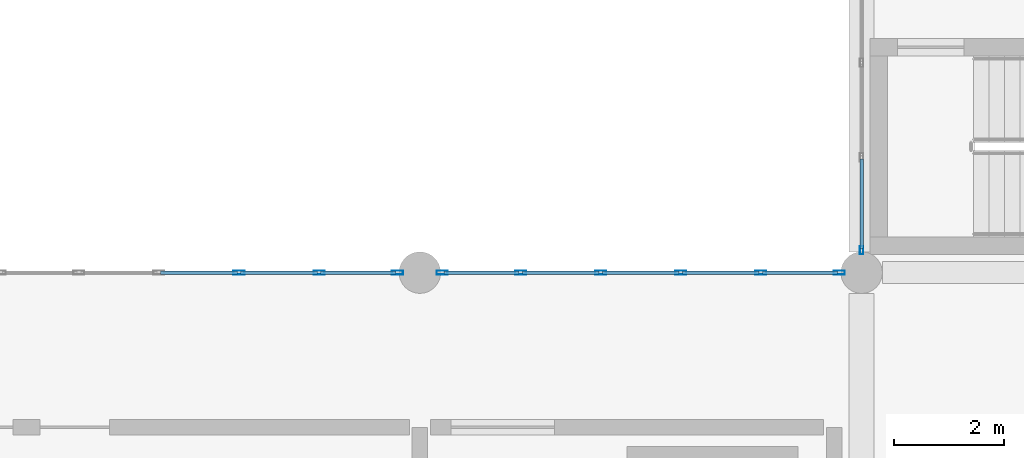
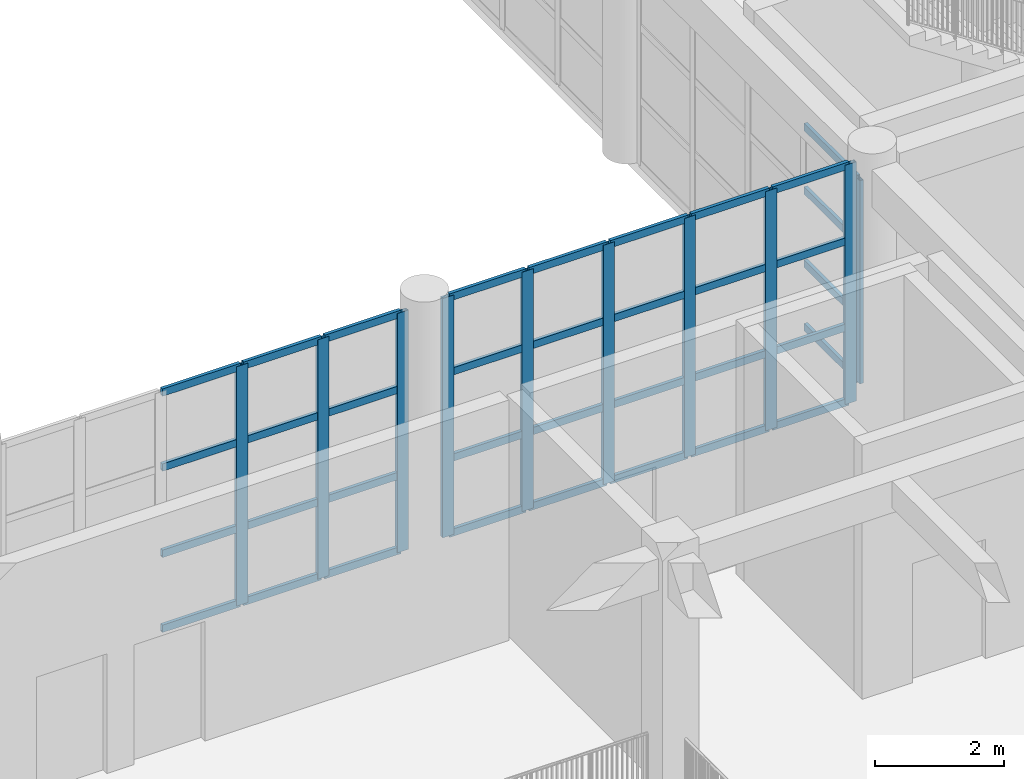
# One storey, part 14 of 101: 46 members, 3 elements without a shape of their own.
"""IFC4 building model written with IfcOpenShell, lengths in metres."""

from ifc_helpers import new_model, si_unit, direction, frame, origin, origin_2d, place, context, subcontext, project, spatial, hollow_rectangle, extrude, material, material_profile, profile_set, type_object, element, aggregate, save


model = new_model("IFC4")

# Units and contexts
model_context = context("Model", 3, precision=1e-05, world=origin(), true_north=direction((0.0, 1.0)))
body_context = subcontext(model_context, "Body", "Model", "MODEL_VIEW")
ifc_project = project(units=[si_unit("LENGTHUNIT", "METRE"), si_unit("AREAUNIT", "SQUARE_METRE"), si_unit("VOLUMEUNIT", "CUBIC_METRE"), si_unit("PLANEANGLEUNIT", "RADIAN"), si_unit("MASSUNIT", "GRAM", prefix="KILO")], contexts=[model_context])

# Site, building, storey
site_placement = place(None, origin())
site = spatial("IfcSite", under=ifc_project, at=site_placement, CompositionType="ELEMENT")
building_placement = place(site_placement, origin())
building = spatial("IfcBuilding", under=site, at=building_placement, Name="Zantavel Square City Hall", CompositionType="ELEMENT")
storey_placement = place(building_placement, frame((0.0, 0.0, 5.39990234375)))
storey = spatial("IfcBuildingStorey", under=building, at=storey_placement, Name="L02", CompositionType="ELEMENT", Elevation=5.39990234375)

# Curtain wall, members
ifc_material = material(Name="Anodised aluminium 6063-T6", Category="aluminium")
curtain_wall_type_1 = type_object("IfcCurtainWallType", Name="Curtain Wall CRT 7250x4520", PredefinedType="USERDEFINED", material=ifc_material)
curtain_wall_1_placement = place(storey_placement, origin())
curtain_wall_1 = element("IfcCurtainWall", 1, at=curtain_wall_1_placement, inside=storey, type_object=curtain_wall_type_1, Name="L02 Glazed Curtain Wall CW-L02-075", ObjectType="GLAZED CURTAIN WALL", PredefinedType="USERDEFINED")
ifc_material_profile_1 = material_profile(ifc_material, hollow_rectangle(XDim=0.070068359375, YDim=0.199951171875, WallThickness=0.00439453125, at=origin_2d()), Name="ALU 70x200x4.5")
ifc_profile_set_1 = profile_set([ifc_material_profile_1], Name="Anodised aluminium 6063-T6")
member_type_1 = type_object("IfcMemberType", Name="CW Heavy Hall Mullion ALU 70x200x4.5", PredefinedType="MULLION", material=ifc_profile_set_1)
member_1_placement = place(storey_placement, frame((36.72509765625, 38.0, 0.0), z_axis=(0.0, 0.0, 1.0), x_axis=(0.0, 1.0, 0.0)))
member_1 = element("IfcMember", 2, at=member_1_placement, type_object=member_type_1, Name="CW-075 mullion 4", PredefinedType="MULLION", context=body_context, shape_type="SweptSolid", body=[
    extrude(hollow_rectangle(XDim=0.070068359375, YDim=0.199951171875, WallThickness=0.00439453125, at=origin_2d()), origin(), (0.0, 0.0, 1.0), 4.52001953125),
])
member_2_placement = place(storey_placement, frame((38.175048828125, 38.0, 0.0), z_axis=(0.0, 0.0, 1.0), x_axis=(0.0, 1.0, 0.0)))
member_2 = element("IfcMember", 3, at=member_2_placement, type_object=member_type_1, Name="CW-075 mullion 5", PredefinedType="MULLION", context=body_context, shape_type="SweptSolid", body=[
    extrude(hollow_rectangle(XDim=0.070068359375, YDim=0.199951171875, WallThickness=0.00439453125, at=origin_2d()), origin(), (0.0, 0.0, 1.0), 4.52001953125),
])
member_3_placement = place(storey_placement, frame((39.594970703125, 38.0, 0.0), z_axis=(0.0, 0.0, 1.0), x_axis=(0.0, 1.0, 0.0)))
member_3 = element("IfcMember", 4, at=member_3_placement, type_object=member_type_1, Name="CW-075 mullion 6", PredefinedType="MULLION", context=body_context, shape_type="SweptSolid", body=[
    extrude(hollow_rectangle(XDim=0.070068359375, YDim=0.199951171875, WallThickness=0.00439453125, at=origin_2d()), origin(), (0.0, 0.0, 1.0), 4.52001953125),
])

curtain_wall_2_placement = place(storey_placement, origin())
curtain_wall_2 = element("IfcCurtainWall", 5, at=curtain_wall_2_placement, inside=storey, type_object=curtain_wall_type_1, Name="L02 Glazed Curtain Wall CW-L02-076", ObjectType="GLAZED CURTAIN WALL", PredefinedType="USERDEFINED")
member_4_placement = place(storey_placement, frame((40.405029296875, 38.0, 0.0), z_axis=(0.0, 0.0, 1.0), x_axis=(0.0, 1.0, 0.0)))
member_4 = element("IfcMember", 6, at=member_4_placement, type_object=member_type_1, Name="CW-076 mullion 1", PredefinedType="MULLION", context=body_context, shape_type="SweptSolid", body=[
    extrude(hollow_rectangle(XDim=0.070068359375, YDim=0.199951171875, WallThickness=0.00439453125, at=origin_2d()), origin(), (0.0, 0.0, 1.0), 4.52001953125),
])
member_5_placement = place(storey_placement, frame((41.824951171875, 38.0, 0.0), z_axis=(0.0, 0.0, 1.0), x_axis=(0.0, 1.0, 0.0)))
member_5 = element("IfcMember", 7, at=member_5_placement, type_object=member_type_1, Name="CW-076 mullion 2", PredefinedType="MULLION", context=body_context, shape_type="SweptSolid", body=[
    extrude(hollow_rectangle(XDim=0.070068359375, YDim=0.199951171875, WallThickness=0.00439453125, at=origin_2d()), origin(), (0.0, 0.0, 1.0), 4.52001953125),
])
member_6_placement = place(storey_placement, frame((43.27490234375, 38.0, 0.0), z_axis=(0.0, 0.0, 1.0), x_axis=(0.0, 1.0, 0.0)))
member_6 = element("IfcMember", 8, at=member_6_placement, type_object=member_type_1, Name="CW-076 mullion 3", PredefinedType="MULLION", context=body_context, shape_type="SweptSolid", body=[
    extrude(hollow_rectangle(XDim=0.070068359375, YDim=0.199951171875, WallThickness=0.00439453125, at=origin_2d()), origin(), (0.0, 0.0, 1.0), 4.52001953125),
])
member_7_placement = place(storey_placement, frame((44.72509765625, 38.0, 0.0), z_axis=(0.0, 0.0, 1.0), x_axis=(0.0, 1.0, 0.0)))
member_7 = element("IfcMember", 9, at=member_7_placement, type_object=member_type_1, Name="CW-076 mullion 4", PredefinedType="MULLION", context=body_context, shape_type="SweptSolid", body=[
    extrude(hollow_rectangle(XDim=0.070068359375, YDim=0.199951171875, WallThickness=0.00439453125, at=origin_2d()), origin(), (0.0, 0.0, 1.0), 4.52001953125),
])
member_8_placement = place(storey_placement, frame((46.175048828125, 38.0, 0.0), z_axis=(0.0, 0.0, 1.0), x_axis=(0.0, 1.0, 0.0)))
member_8 = element("IfcMember", 10, at=member_8_placement, type_object=member_type_1, Name="CW-076 mullion 5", PredefinedType="MULLION", context=body_context, shape_type="SweptSolid", body=[
    extrude(hollow_rectangle(XDim=0.070068359375, YDim=0.199951171875, WallThickness=0.00439453125, at=origin_2d()), origin(), (0.0, 0.0, 1.0), 4.52001953125),
])
member_9_placement = place(storey_placement, frame((47.594970703125, 38.0, 0.0), z_axis=(0.0, 0.0, 1.0), x_axis=(0.0, 1.0, 0.0)))
member_9 = element("IfcMember", 11, at=member_9_placement, type_object=member_type_1, Name="CW-076 mullion 6", PredefinedType="MULLION", context=body_context, shape_type="SweptSolid", body=[
    extrude(hollow_rectangle(XDim=0.070068359375, YDim=0.199951171875, WallThickness=0.00439453125, at=origin_2d()), origin(), (0.0, 0.0, 1.0), 4.52001953125),
])

# Curtain wall, member
curtain_wall_type_2 = type_object("IfcCurtainWallType", Name="Curtain Wall CRT 6850x3840", PredefinedType="USERDEFINED", material=ifc_material)
curtain_wall_3_placement = place(storey_placement, origin())
curtain_wall_3 = element("IfcCurtainWall", 12, at=curtain_wall_3_placement, inside=storey, type_object=curtain_wall_type_2, Name="L02 Glazed Curtain Wall CW-L02-077", ObjectType="GLAZED CURTAIN WALL", PredefinedType="USERDEFINED")
ifc_material_profile_2 = material_profile(ifc_material, hollow_rectangle(XDim=0.06494140625, YDim=0.14990234375, WallThickness=0.00390625, at=origin_2d()), Name="ALU 65x150x4")
ifc_profile_set_2 = profile_set([ifc_material_profile_2], Name="Anodised aluminium 6063-T6")
member_type_2 = type_object("IfcMemberType", Name="CW Mullion ALU 65x150x4", PredefinedType="MULLION", material=ifc_profile_set_2)
member_10_placement = place(storey_placement, frame((48.0, 38.405029296875, 0.0), z_axis=(0.0, 0.0, 1.0), x_axis=(-1.0, 0.0, 0.0)))
member_10 = element("IfcMember", 13, at=member_10_placement, type_object=member_type_2, Name="CW-077 mullion 1", PredefinedType="MULLION", context=body_context, shape_type="SweptSolid", body=[
    extrude(hollow_rectangle(XDim=0.06494140625, YDim=0.14990234375, WallThickness=0.00390625, at=origin_2d()), origin(), (0.0, 0.0, 1.0), 3.840087890625),
])

# Member
ifc_material_profile_3 = material_profile(ifc_material, hollow_rectangle(XDim=0.06005859375, YDim=0.139892578125, WallThickness=0.00390625, at=origin_2d()), Name="ALU 60x140x4")
ifc_profile_set_3 = profile_set([ifc_material_profile_3], Name="Anodised aluminium 6063-T6")
member_type_3 = type_object("IfcMemberType", Name="CW Transom ALU 60x140x4", PredefinedType="USERDEFINED", material=ifc_profile_set_3)
member_11_placement = place(storey_placement, frame((35.304931640625, 38.0, 0.030029296875), z_axis=(1.0, 0.0, 0.0), x_axis=(0.0, 1.0, 0.0)))
member_11 = element("IfcMember", 14, at=member_11_placement, type_object=member_type_3, Name="CW-075 transom 3.1", ObjectType="TRANSOM", PredefinedType="USERDEFINED", context=body_context, shape_type="SweptSolid", body=[
    extrude(hollow_rectangle(XDim=0.06005859375, YDim=0.139892578125, WallThickness=0.00390625, at=origin_2d()), origin(), (0.0, 0.0, 1.0), 1.39013671875),
])

member_12_placement = place(storey_placement, frame((35.304931640625, 38.0, 1.446044921875), z_axis=(1.0, 0.0, 0.0), x_axis=(0.0, 1.0, 0.0)))
member_12 = element("IfcMember", 15, at=member_12_placement, type_object=member_type_3, Name="CW-075 transom 3.2", ObjectType="TRANSOM", PredefinedType="USERDEFINED", context=body_context, shape_type="SweptSolid", body=[
    extrude(hollow_rectangle(XDim=0.06005859375, YDim=0.139892578125, WallThickness=0.00390625, at=origin_2d()), origin(), (0.0, 0.0, 1.0), 1.39013671875),
])

member_13_placement = place(storey_placement, frame((35.304931640625, 38.0, 3.07421875), z_axis=(1.0, 0.0, 0.0), x_axis=(0.0, 1.0, 0.0)))
member_13 = element("IfcMember", 16, at=member_13_placement, type_object=member_type_3, Name="CW-075 transom 3.3", ObjectType="TRANSOM", PredefinedType="USERDEFINED", context=body_context, shape_type="SweptSolid", body=[
    extrude(hollow_rectangle(XDim=0.06005859375, YDim=0.139892578125, WallThickness=0.00390625, at=origin_2d()), origin(), (0.0, 0.0, 1.0), 1.39013671875),
])

member_14_placement = place(storey_placement, frame((35.304931640625, 38.0, 4.489990234375), z_axis=(1.0, 0.0, 0.0), x_axis=(0.0, 1.0, 0.0)))
member_14 = element("IfcMember", 17, at=member_14_placement, type_object=member_type_3, Name="CW-075 transom 3.4", ObjectType="TRANSOM", PredefinedType="USERDEFINED", context=body_context, shape_type="SweptSolid", body=[
    extrude(hollow_rectangle(XDim=0.06005859375, YDim=0.139892578125, WallThickness=0.00390625, at=origin_2d()), origin(), (0.0, 0.0, 1.0), 1.39013671875),
])

member_15_placement = place(storey_placement, frame((36.7548828125, 38.0, 0.030029296875), z_axis=(1.0, 0.0, 0.0), x_axis=(0.0, 1.0, 0.0)))
member_15 = element("IfcMember", 18, at=member_15_placement, type_object=member_type_3, Name="CW-075 transom 4.1", ObjectType="TRANSOM", PredefinedType="USERDEFINED", context=body_context, shape_type="SweptSolid", body=[
    extrude(hollow_rectangle(XDim=0.06005859375, YDim=0.139892578125, WallThickness=0.00390625, at=origin_2d()), origin(), (0.0, 0.0, 1.0), 1.39013671875),
])

member_16_placement = place(storey_placement, frame((36.7548828125, 38.0, 1.446044921875), z_axis=(1.0, 0.0, 0.0), x_axis=(0.0, 1.0, 0.0)))
member_16 = element("IfcMember", 19, at=member_16_placement, type_object=member_type_3, Name="CW-075 transom 4.2", ObjectType="TRANSOM", PredefinedType="USERDEFINED", context=body_context, shape_type="SweptSolid", body=[
    extrude(hollow_rectangle(XDim=0.06005859375, YDim=0.139892578125, WallThickness=0.00390625, at=origin_2d()), origin(), (0.0, 0.0, 1.0), 1.39013671875),
])

member_17_placement = place(storey_placement, frame((36.7548828125, 38.0, 3.07421875), z_axis=(1.0, 0.0, 0.0), x_axis=(0.0, 1.0, 0.0)))
member_17 = element("IfcMember", 20, at=member_17_placement, type_object=member_type_3, Name="CW-075 transom 4.3", ObjectType="TRANSOM", PredefinedType="USERDEFINED", context=body_context, shape_type="SweptSolid", body=[
    extrude(hollow_rectangle(XDim=0.06005859375, YDim=0.139892578125, WallThickness=0.00390625, at=origin_2d()), origin(), (0.0, 0.0, 1.0), 1.39013671875),
])

member_18_placement = place(storey_placement, frame((36.7548828125, 38.0, 4.489990234375), z_axis=(1.0, 0.0, 0.0), x_axis=(0.0, 1.0, 0.0)))
member_18 = element("IfcMember", 21, at=member_18_placement, type_object=member_type_3, Name="CW-075 transom 4.4", ObjectType="TRANSOM", PredefinedType="USERDEFINED", context=body_context, shape_type="SweptSolid", body=[
    extrude(hollow_rectangle(XDim=0.06005859375, YDim=0.139892578125, WallThickness=0.00390625, at=origin_2d()), origin(), (0.0, 0.0, 1.0), 1.39013671875),
])

member_19_placement = place(storey_placement, frame((38.205078125, 38.0, 0.030029296875), z_axis=(1.0, 0.0, 0.0), x_axis=(0.0, 1.0, 0.0)))
member_19 = element("IfcMember", 22, at=member_19_placement, type_object=member_type_3, Name="CW-075 transom 5.1", ObjectType="TRANSOM", PredefinedType="USERDEFINED", context=body_context, shape_type="SweptSolid", body=[
    extrude(hollow_rectangle(XDim=0.06005859375, YDim=0.139892578125, WallThickness=0.00390625, at=origin_2d()), origin(), (0.0, 0.0, 1.0), 1.35986328125),
])

member_20_placement = place(storey_placement, frame((38.205078125, 38.0, 1.446044921875), z_axis=(1.0, 0.0, 0.0), x_axis=(0.0, 1.0, 0.0)))
member_20 = element("IfcMember", 23, at=member_20_placement, type_object=member_type_3, Name="CW-075 transom 5.2", ObjectType="TRANSOM", PredefinedType="USERDEFINED", context=body_context, shape_type="SweptSolid", body=[
    extrude(hollow_rectangle(XDim=0.06005859375, YDim=0.139892578125, WallThickness=0.00390625, at=origin_2d()), origin(), (0.0, 0.0, 1.0), 1.35986328125),
])

member_21_placement = place(storey_placement, frame((38.205078125, 38.0, 3.07421875), z_axis=(1.0, 0.0, 0.0), x_axis=(0.0, 1.0, 0.0)))
member_21 = element("IfcMember", 24, at=member_21_placement, type_object=member_type_3, Name="CW-075 transom 5.3", ObjectType="TRANSOM", PredefinedType="USERDEFINED", context=body_context, shape_type="SweptSolid", body=[
    extrude(hollow_rectangle(XDim=0.06005859375, YDim=0.139892578125, WallThickness=0.00390625, at=origin_2d()), origin(), (0.0, 0.0, 1.0), 1.35986328125),
])

member_22_placement = place(storey_placement, frame((38.205078125, 38.0, 4.489990234375), z_axis=(1.0, 0.0, 0.0), x_axis=(0.0, 1.0, 0.0)))
member_22 = element("IfcMember", 25, at=member_22_placement, type_object=member_type_3, Name="CW-075 transom 5.4", ObjectType="TRANSOM", PredefinedType="USERDEFINED", context=body_context, shape_type="SweptSolid", body=[
    extrude(hollow_rectangle(XDim=0.06005859375, YDim=0.139892578125, WallThickness=0.00390625, at=origin_2d()), origin(), (0.0, 0.0, 1.0), 1.35986328125),
])

aggregate(curtain_wall_1, [member_1, member_2, member_3, member_11, member_12, member_13, member_14, member_15, member_16, member_17, member_18, member_19, member_20, member_21, member_22])

member_23_placement = place(storey_placement, frame((40.43505859375, 38.0, 0.030029296875), z_axis=(1.0, 0.0, 0.0), x_axis=(0.0, 1.0, 0.0)))
member_23 = element("IfcMember", 26, at=member_23_placement, type_object=member_type_3, Name="CW-076 transom 1.1", ObjectType="TRANSOM", PredefinedType="USERDEFINED", context=body_context, shape_type="SweptSolid", body=[
    extrude(hollow_rectangle(XDim=0.06005859375, YDim=0.139892578125, WallThickness=0.00390625, at=origin_2d()), origin(), (0.0, 0.0, 1.0), 1.35986328125),
])

member_24_placement = place(storey_placement, frame((40.43505859375, 38.0, 1.446044921875), z_axis=(1.0, 0.0, 0.0), x_axis=(0.0, 1.0, 0.0)))
member_24 = element("IfcMember", 27, at=member_24_placement, type_object=member_type_3, Name="CW-076 transom 1.2", ObjectType="TRANSOM", PredefinedType="USERDEFINED", context=body_context, shape_type="SweptSolid", body=[
    extrude(hollow_rectangle(XDim=0.06005859375, YDim=0.139892578125, WallThickness=0.00390625, at=origin_2d()), origin(), (0.0, 0.0, 1.0), 1.35986328125),
])

member_25_placement = place(storey_placement, frame((40.43505859375, 38.0, 3.07421875), z_axis=(1.0, 0.0, 0.0), x_axis=(0.0, 1.0, 0.0)))
member_25 = element("IfcMember", 28, at=member_25_placement, type_object=member_type_3, Name="CW-076 transom 1.3", ObjectType="TRANSOM", PredefinedType="USERDEFINED", context=body_context, shape_type="SweptSolid", body=[
    extrude(hollow_rectangle(XDim=0.06005859375, YDim=0.139892578125, WallThickness=0.00390625, at=origin_2d()), origin(), (0.0, 0.0, 1.0), 1.35986328125),
])

member_26_placement = place(storey_placement, frame((40.43505859375, 38.0, 4.489990234375), z_axis=(1.0, 0.0, 0.0), x_axis=(0.0, 1.0, 0.0)))
member_26 = element("IfcMember", 29, at=member_26_placement, type_object=member_type_3, Name="CW-076 transom 1.4", ObjectType="TRANSOM", PredefinedType="USERDEFINED", context=body_context, shape_type="SweptSolid", body=[
    extrude(hollow_rectangle(XDim=0.06005859375, YDim=0.139892578125, WallThickness=0.00390625, at=origin_2d()), origin(), (0.0, 0.0, 1.0), 1.35986328125),
])

member_27_placement = place(storey_placement, frame((41.85498046875, 38.0, 0.030029296875), z_axis=(1.0, 0.0, 0.0), x_axis=(0.0, 1.0, 0.0)))
member_27 = element("IfcMember", 30, at=member_27_placement, type_object=member_type_3, Name="CW-076 transom 2.1", ObjectType="TRANSOM", PredefinedType="USERDEFINED", context=body_context, shape_type="SweptSolid", body=[
    extrude(hollow_rectangle(XDim=0.06005859375, YDim=0.139892578125, WallThickness=0.00390625, at=origin_2d()), origin(), (0.0, 0.0, 1.0), 1.39013671875),
])

member_28_placement = place(storey_placement, frame((41.85498046875, 38.0, 1.446044921875), z_axis=(1.0, 0.0, 0.0), x_axis=(0.0, 1.0, 0.0)))
member_28 = element("IfcMember", 31, at=member_28_placement, type_object=member_type_3, Name="CW-076 transom 2.2", ObjectType="TRANSOM", PredefinedType="USERDEFINED", context=body_context, shape_type="SweptSolid", body=[
    extrude(hollow_rectangle(XDim=0.06005859375, YDim=0.139892578125, WallThickness=0.00390625, at=origin_2d()), origin(), (0.0, 0.0, 1.0), 1.39013671875),
])

member_29_placement = place(storey_placement, frame((41.85498046875, 38.0, 3.07421875), z_axis=(1.0, 0.0, 0.0), x_axis=(0.0, 1.0, 0.0)))
member_29 = element("IfcMember", 32, at=member_29_placement, type_object=member_type_3, Name="CW-076 transom 2.3", ObjectType="TRANSOM", PredefinedType="USERDEFINED", context=body_context, shape_type="SweptSolid", body=[
    extrude(hollow_rectangle(XDim=0.06005859375, YDim=0.139892578125, WallThickness=0.00390625, at=origin_2d()), origin(), (0.0, 0.0, 1.0), 1.39013671875),
])

member_30_placement = place(storey_placement, frame((41.85498046875, 38.0, 4.489990234375), z_axis=(1.0, 0.0, 0.0), x_axis=(0.0, 1.0, 0.0)))
member_30 = element("IfcMember", 33, at=member_30_placement, type_object=member_type_3, Name="CW-076 transom 2.4", ObjectType="TRANSOM", PredefinedType="USERDEFINED", context=body_context, shape_type="SweptSolid", body=[
    extrude(hollow_rectangle(XDim=0.06005859375, YDim=0.139892578125, WallThickness=0.00390625, at=origin_2d()), origin(), (0.0, 0.0, 1.0), 1.39013671875),
])

member_31_placement = place(storey_placement, frame((43.304931640625, 38.0, 0.030029296875), z_axis=(1.0, 0.0, 0.0), x_axis=(0.0, 1.0, 0.0)))
member_31 = element("IfcMember", 34, at=member_31_placement, type_object=member_type_3, Name="CW-076 transom 3.1", ObjectType="TRANSOM", PredefinedType="USERDEFINED", context=body_context, shape_type="SweptSolid", body=[
    extrude(hollow_rectangle(XDim=0.06005859375, YDim=0.139892578125, WallThickness=0.00390625, at=origin_2d()), origin(), (0.0, 0.0, 1.0), 1.39013671875),
])

member_32_placement = place(storey_placement, frame((43.304931640625, 38.0, 1.446044921875), z_axis=(1.0, 0.0, 0.0), x_axis=(0.0, 1.0, 0.0)))
member_32 = element("IfcMember", 35, at=member_32_placement, type_object=member_type_3, Name="CW-076 transom 3.2", ObjectType="TRANSOM", PredefinedType="USERDEFINED", context=body_context, shape_type="SweptSolid", body=[
    extrude(hollow_rectangle(XDim=0.06005859375, YDim=0.139892578125, WallThickness=0.00390625, at=origin_2d()), origin(), (0.0, 0.0, 1.0), 1.39013671875),
])

member_33_placement = place(storey_placement, frame((43.304931640625, 38.0, 3.07421875), z_axis=(1.0, 0.0, 0.0), x_axis=(0.0, 1.0, 0.0)))
member_33 = element("IfcMember", 36, at=member_33_placement, type_object=member_type_3, Name="CW-076 transom 3.3", ObjectType="TRANSOM", PredefinedType="USERDEFINED", context=body_context, shape_type="SweptSolid", body=[
    extrude(hollow_rectangle(XDim=0.06005859375, YDim=0.139892578125, WallThickness=0.00390625, at=origin_2d()), origin(), (0.0, 0.0, 1.0), 1.39013671875),
])

member_34_placement = place(storey_placement, frame((43.304931640625, 38.0, 4.489990234375), z_axis=(1.0, 0.0, 0.0), x_axis=(0.0, 1.0, 0.0)))
member_34 = element("IfcMember", 37, at=member_34_placement, type_object=member_type_3, Name="CW-076 transom 3.4", ObjectType="TRANSOM", PredefinedType="USERDEFINED", context=body_context, shape_type="SweptSolid", body=[
    extrude(hollow_rectangle(XDim=0.06005859375, YDim=0.139892578125, WallThickness=0.00390625, at=origin_2d()), origin(), (0.0, 0.0, 1.0), 1.39013671875),
])

member_35_placement = place(storey_placement, frame((44.7548828125, 38.0, 0.030029296875), z_axis=(1.0, 0.0, 0.0), x_axis=(0.0, 1.0, 0.0)))
member_35 = element("IfcMember", 38, at=member_35_placement, type_object=member_type_3, Name="CW-076 transom 4.1", ObjectType="TRANSOM", PredefinedType="USERDEFINED", context=body_context, shape_type="SweptSolid", body=[
    extrude(hollow_rectangle(XDim=0.06005859375, YDim=0.139892578125, WallThickness=0.00390625, at=origin_2d()), origin(), (0.0, 0.0, 1.0), 1.39013671875),
])

member_36_placement = place(storey_placement, frame((44.7548828125, 38.0, 1.446044921875), z_axis=(1.0, 0.0, 0.0), x_axis=(0.0, 1.0, 0.0)))
member_36 = element("IfcMember", 39, at=member_36_placement, type_object=member_type_3, Name="CW-076 transom 4.2", ObjectType="TRANSOM", PredefinedType="USERDEFINED", context=body_context, shape_type="SweptSolid", body=[
    extrude(hollow_rectangle(XDim=0.06005859375, YDim=0.139892578125, WallThickness=0.00390625, at=origin_2d()), origin(), (0.0, 0.0, 1.0), 1.39013671875),
])

member_37_placement = place(storey_placement, frame((44.7548828125, 38.0, 3.07421875), z_axis=(1.0, 0.0, 0.0), x_axis=(0.0, 1.0, 0.0)))
member_37 = element("IfcMember", 40, at=member_37_placement, type_object=member_type_3, Name="CW-076 transom 4.3", ObjectType="TRANSOM", PredefinedType="USERDEFINED", context=body_context, shape_type="SweptSolid", body=[
    extrude(hollow_rectangle(XDim=0.06005859375, YDim=0.139892578125, WallThickness=0.00390625, at=origin_2d()), origin(), (0.0, 0.0, 1.0), 1.39013671875),
])

member_38_placement = place(storey_placement, frame((44.7548828125, 38.0, 4.489990234375), z_axis=(1.0, 0.0, 0.0), x_axis=(0.0, 1.0, 0.0)))
member_38 = element("IfcMember", 41, at=member_38_placement, type_object=member_type_3, Name="CW-076 transom 4.4", ObjectType="TRANSOM", PredefinedType="USERDEFINED", context=body_context, shape_type="SweptSolid", body=[
    extrude(hollow_rectangle(XDim=0.06005859375, YDim=0.139892578125, WallThickness=0.00390625, at=origin_2d()), origin(), (0.0, 0.0, 1.0), 1.39013671875),
])

member_39_placement = place(storey_placement, frame((46.205078125, 38.0, 0.030029296875), z_axis=(1.0, 0.0, 0.0), x_axis=(0.0, 1.0, 0.0)))
member_39 = element("IfcMember", 42, at=member_39_placement, type_object=member_type_3, Name="CW-076 transom 5.1", ObjectType="TRANSOM", PredefinedType="USERDEFINED", context=body_context, shape_type="SweptSolid", body=[
    extrude(hollow_rectangle(XDim=0.06005859375, YDim=0.139892578125, WallThickness=0.00390625, at=origin_2d()), origin(), (0.0, 0.0, 1.0), 1.35986328125),
])

member_40_placement = place(storey_placement, frame((46.205078125, 38.0, 1.446044921875), z_axis=(1.0, 0.0, 0.0), x_axis=(0.0, 1.0, 0.0)))
member_40 = element("IfcMember", 43, at=member_40_placement, type_object=member_type_3, Name="CW-076 transom 5.2", ObjectType="TRANSOM", PredefinedType="USERDEFINED", context=body_context, shape_type="SweptSolid", body=[
    extrude(hollow_rectangle(XDim=0.06005859375, YDim=0.139892578125, WallThickness=0.00390625, at=origin_2d()), origin(), (0.0, 0.0, 1.0), 1.35986328125),
])

member_41_placement = place(storey_placement, frame((46.205078125, 38.0, 3.07421875), z_axis=(1.0, 0.0, 0.0), x_axis=(0.0, 1.0, 0.0)))
member_41 = element("IfcMember", 44, at=member_41_placement, type_object=member_type_3, Name="CW-076 transom 5.3", ObjectType="TRANSOM", PredefinedType="USERDEFINED", context=body_context, shape_type="SweptSolid", body=[
    extrude(hollow_rectangle(XDim=0.06005859375, YDim=0.139892578125, WallThickness=0.00390625, at=origin_2d()), origin(), (0.0, 0.0, 1.0), 1.35986328125),
])

member_42_placement = place(storey_placement, frame((46.205078125, 38.0, 4.489990234375), z_axis=(1.0, 0.0, 0.0), x_axis=(0.0, 1.0, 0.0)))
member_42 = element("IfcMember", 45, at=member_42_placement, type_object=member_type_3, Name="CW-076 transom 5.4", ObjectType="TRANSOM", PredefinedType="USERDEFINED", context=body_context, shape_type="SweptSolid", body=[
    extrude(hollow_rectangle(XDim=0.06005859375, YDim=0.139892578125, WallThickness=0.00390625, at=origin_2d()), origin(), (0.0, 0.0, 1.0), 1.35986328125),
])

aggregate(curtain_wall_2, [member_4, member_5, member_6, member_7, member_8, member_9, member_23, member_24, member_25, member_26, member_27, member_28, member_29, member_30, member_31, member_32, member_33, member_34, member_35, member_36, member_37, member_38, member_39, member_40, member_41, member_42])

member_43_placement = place(storey_placement, frame((48.0, 38.43505859375, 0.030029296875), z_axis=(0.0, 1.0, 0.0), x_axis=(-1.0, 0.0, 0.0)))
member_43 = element("IfcMember", 46, at=member_43_placement, type_object=member_type_3, Name="CW-077 transom 1.1", ObjectType="TRANSOM", PredefinedType="USERDEFINED", context=body_context, shape_type="SweptSolid", body=[
    extrude(hollow_rectangle(XDim=0.06005859375, YDim=0.139892578125, WallThickness=0.00390625, at=origin_2d()), origin(), (0.0, 0.0, 1.0), 1.62255859375),
])

member_44_placement = place(storey_placement, frame((48.0, 38.43505859375, 1.22900390625), z_axis=(0.0, 1.0, 0.0), x_axis=(-1.0, 0.0, 0.0)))
member_44 = element("IfcMember", 47, at=member_44_placement, type_object=member_type_3, Name="CW-077 transom 1.2", ObjectType="TRANSOM", PredefinedType="USERDEFINED", context=body_context, shape_type="SweptSolid", body=[
    extrude(hollow_rectangle(XDim=0.06005859375, YDim=0.139892578125, WallThickness=0.00390625, at=origin_2d()), origin(), (0.0, 0.0, 1.0), 1.62255859375),
])

member_45_placement = place(storey_placement, frame((48.0, 38.43505859375, 2.611083984375), z_axis=(0.0, 1.0, 0.0), x_axis=(-1.0, 0.0, 0.0)))
member_45 = element("IfcMember", 48, at=member_45_placement, type_object=member_type_3, Name="CW-077 transom 1.3", ObjectType="TRANSOM", PredefinedType="USERDEFINED", context=body_context, shape_type="SweptSolid", body=[
    extrude(hollow_rectangle(XDim=0.06005859375, YDim=0.139892578125, WallThickness=0.00390625, at=origin_2d()), origin(), (0.0, 0.0, 1.0), 1.62255859375),
])

member_46_placement = place(storey_placement, frame((48.0, 38.43505859375, 3.81005859375), z_axis=(0.0, 1.0, 0.0), x_axis=(-1.0, 0.0, 0.0)))
member_46 = element("IfcMember", 49, at=member_46_placement, type_object=member_type_3, Name="CW-077 transom 1.4", ObjectType="TRANSOM", PredefinedType="USERDEFINED", context=body_context, shape_type="SweptSolid", body=[
    extrude(hollow_rectangle(XDim=0.06005859375, YDim=0.139892578125, WallThickness=0.00390625, at=origin_2d()), origin(), (0.0, 0.0, 1.0), 1.62255859375),
])

aggregate(curtain_wall_3, [member_10, member_43, member_44, member_45, member_46])

save(model, "model.ifc")
